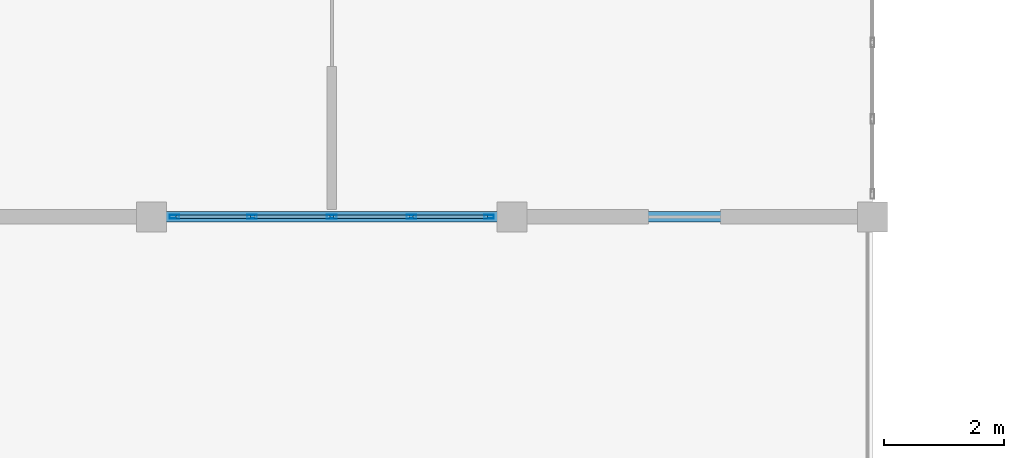
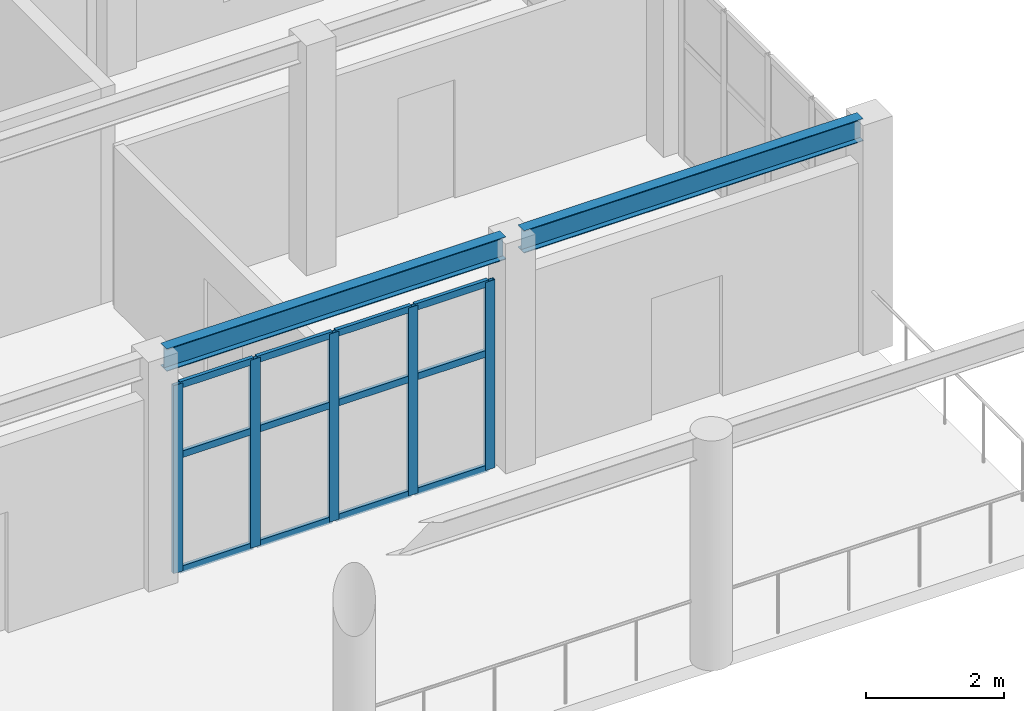
# One storey, part 22 of 128: 17 members, 2 beams, 1 element without a shape of its own.
"""IFC4 building model written with IfcOpenShell, lengths in metres."""

from ifc_helpers import new_model, si_unit, direction, frame, origin, origin_2d, place, context, subcontext, project, spatial, hollow_rectangle, i_section, extrude, material, material_profile, profile_set, type_object, element, aggregate, save


model = new_model("IFC4")

# Units and contexts
model_context = context("Model", 3, precision=1e-05, world=origin(), true_north=direction((0.0, 1.0)))
body_context = subcontext(model_context, "Body", "Model", "MODEL_VIEW")
ifc_project = project(units=[si_unit("LENGTHUNIT", "METRE"), si_unit("AREAUNIT", "SQUARE_METRE"), si_unit("VOLUMEUNIT", "CUBIC_METRE"), si_unit("PLANEANGLEUNIT", "RADIAN"), si_unit("MASSUNIT", "GRAM", prefix="KILO")], contexts=[model_context])

# Site, building, storey
site_placement = place(None, origin())
site = spatial("IfcSite", under=ifc_project, at=site_placement, CompositionType="ELEMENT")
building_placement = place(site_placement, origin())
building = spatial("IfcBuilding", under=site, at=building_placement, Name="Tanwirah Colonnade Gardens", CompositionType="ELEMENT")
storey_placement = place(building_placement, frame((0.0, 0.0, 4.760009765625)))
storey = spatial("IfcBuildingStorey", under=building, at=storey_placement, Name="L01", CompositionType="ELEMENT", Elevation=4.760009765625)

# Curtain wall, members
ifc_material_1 = material(Name="Bronze-anodised aluminium and solar-control low-E glass", Category="aluminium")
curtain_wall_type = type_object("IfcCurtainWallType", Name="CW-SHP", PredefinedType="NOTDEFINED", material=ifc_material_1)
curtain_wall_placement = place(storey_placement, origin())
curtain_wall = element("IfcCurtainWall", 1, at=curtain_wall_placement, inside=storey, type_object=curtain_wall_type, Name="Curtain Wall CW-SHP-E-L01-S-1", PredefinedType="NOTDEFINED")
ifc_material_2 = material(Name="Bronze-anodised aluminium", Category="aluminium")
ifc_material_profile_1 = material_profile(ifc_material_2, hollow_rectangle(XDim=0.06005859375, YDim=0.159912109375, WallThickness=0.00390625, at=origin_2d()), Name="CW-MUL 60x160x4")
ifc_profile_set_1 = profile_set([ifc_material_profile_1], Name="Bronze-anodised aluminium")
member_type_1 = type_object("IfcMemberType", Name="CWM-60x160", PredefinedType="MULLION", material=ifc_profile_set_1)
member_1_placement = place(storey_placement, frame((108.3798828125, 16.60009765625, 0.0), z_axis=(0.0, 0.0, 1.0), x_axis=(0.0, 1.0, 0.0)))
member_1 = element("IfcMember", 2, at=member_1_placement, type_object=member_type_1, Name="CW-SHP mullion 1", PredefinedType="MULLION", context=body_context, shape_type="SweptSolid", body=[
    extrude(hollow_rectangle(XDim=0.06005859375, YDim=0.159912109375, WallThickness=0.00390625, at=origin_2d()), origin(), (0.0, 0.0, 1.0), 3.340087890625),
])
member_2_placement = place(storey_placement, frame((109.675048828125, 16.60009765625, 0.0), z_axis=(0.0, 0.0, 1.0), x_axis=(0.0, 1.0, 0.0)))
member_2 = element("IfcMember", 3, at=member_2_placement, type_object=member_type_1, Name="CW-SHP mullion 2", PredefinedType="MULLION", context=body_context, shape_type="SweptSolid", body=[
    extrude(hollow_rectangle(XDim=0.06005859375, YDim=0.159912109375, WallThickness=0.00390625, at=origin_2d()), origin(), (0.0, 0.0, 1.0), 3.340087890625),
])
member_3_placement = place(storey_placement, frame((111.0, 16.60009765625, 0.0), z_axis=(0.0, 0.0, 1.0), x_axis=(0.0, 1.0, 0.0)))
member_3 = element("IfcMember", 4, at=member_3_placement, type_object=member_type_1, Name="CW-SHP mullion 3", PredefinedType="MULLION", context=body_context, shape_type="SweptSolid", body=[
    extrude(hollow_rectangle(XDim=0.06005859375, YDim=0.159912109375, WallThickness=0.00390625, at=origin_2d()), origin(), (0.0, 0.0, 1.0), 3.340087890625),
])
member_4_placement = place(storey_placement, frame((112.324951171875, 16.60009765625, 0.0), z_axis=(0.0, 0.0, 1.0), x_axis=(0.0, 1.0, 0.0)))
member_4 = element("IfcMember", 5, at=member_4_placement, type_object=member_type_1, Name="CW-SHP mullion 4", PredefinedType="MULLION", context=body_context, shape_type="SweptSolid", body=[
    extrude(hollow_rectangle(XDim=0.06005859375, YDim=0.159912109375, WallThickness=0.00390625, at=origin_2d()), origin(), (0.0, 0.0, 1.0), 3.340087890625),
])
member_5_placement = place(storey_placement, frame((113.6201171875, 16.60009765625, 0.0), z_axis=(0.0, 0.0, 1.0), x_axis=(0.0, 1.0, 0.0)))
member_5 = element("IfcMember", 6, at=member_5_placement, type_object=member_type_1, Name="CW-SHP mullion 5", PredefinedType="MULLION", context=body_context, shape_type="SweptSolid", body=[
    extrude(hollow_rectangle(XDim=0.06005859375, YDim=0.159912109375, WallThickness=0.00390625, at=origin_2d()), origin(), (0.0, 0.0, 1.0), 3.340087890625),
])
ifc_material_profile_2 = material_profile(ifc_material_2, hollow_rectangle(XDim=0.06005859375, YDim=0.1201171875, WallThickness=0.00390625, at=origin_2d()), Name="CW-TRN 60x120x4")
ifc_profile_set_2 = profile_set([ifc_material_profile_2], Name="Bronze-anodised aluminium")
member_type_2 = type_object("IfcMemberType", Name="CWT-60x120", PredefinedType="USERDEFINED", material=ifc_profile_set_2)
member_6_placement = place(storey_placement, frame((108.409912109375, 16.60009765625, 0.030029296875), z_axis=(1.0, 0.0, 0.0), x_axis=(0.0, 1.0, 0.0)))
member_6 = element("IfcMember", 7, at=member_6_placement, type_object=member_type_2, Name="CW-SHP transom 1.1", ObjectType="TRANSOM", PredefinedType="USERDEFINED", context=body_context, shape_type="SweptSolid", body=[
    extrude(hollow_rectangle(XDim=0.06005859375, YDim=0.1201171875, WallThickness=0.00390625, at=origin_2d()), origin(), (0.0, 0.0, 1.0), 1.235107421875),
])
member_7_placement = place(storey_placement, frame((108.409912109375, 16.60009765625, 2.07080078125), z_axis=(1.0, 0.0, 0.0), x_axis=(0.0, 1.0, 0.0)))
member_7 = element("IfcMember", 8, at=member_7_placement, type_object=member_type_2, Name="CW-SHP transom 1.2", ObjectType="TRANSOM", PredefinedType="USERDEFINED", context=body_context, shape_type="SweptSolid", body=[
    extrude(hollow_rectangle(XDim=0.06005859375, YDim=0.1201171875, WallThickness=0.00390625, at=origin_2d()), origin(), (0.0, 0.0, 1.0), 1.235107421875),
])
member_8_placement = place(storey_placement, frame((108.409912109375, 16.60009765625, 3.31005859375), z_axis=(1.0, 0.0, 0.0), x_axis=(0.0, 1.0, 0.0)))
member_8 = element("IfcMember", 9, at=member_8_placement, type_object=member_type_2, Name="CW-SHP transom 1.3", ObjectType="TRANSOM", PredefinedType="USERDEFINED", context=body_context, shape_type="SweptSolid", body=[
    extrude(hollow_rectangle(XDim=0.06005859375, YDim=0.1201171875, WallThickness=0.00390625, at=origin_2d()), origin(), (0.0, 0.0, 1.0), 1.235107421875),
])
member_9_placement = place(storey_placement, frame((109.705078125, 16.60009765625, 0.030029296875), z_axis=(1.0, 0.0, 0.0), x_axis=(0.0, 1.0, 0.0)))
member_9 = element("IfcMember", 10, at=member_9_placement, type_object=member_type_2, Name="CW-SHP transom 2.1", ObjectType="TRANSOM", PredefinedType="USERDEFINED", context=body_context, shape_type="SweptSolid", body=[
    extrude(hollow_rectangle(XDim=0.06005859375, YDim=0.1201171875, WallThickness=0.00390625, at=origin_2d()), origin(), (0.0, 0.0, 1.0), 1.264892578125),
])
member_10_placement = place(storey_placement, frame((109.705078125, 16.60009765625, 2.07080078125), z_axis=(1.0, 0.0, 0.0), x_axis=(0.0, 1.0, 0.0)))
member_10 = element("IfcMember", 11, at=member_10_placement, type_object=member_type_2, Name="CW-SHP transom 2.2", ObjectType="TRANSOM", PredefinedType="USERDEFINED", context=body_context, shape_type="SweptSolid", body=[
    extrude(hollow_rectangle(XDim=0.06005859375, YDim=0.1201171875, WallThickness=0.00390625, at=origin_2d()), origin(), (0.0, 0.0, 1.0), 1.264892578125),
])
member_11_placement = place(storey_placement, frame((109.705078125, 16.60009765625, 3.31005859375), z_axis=(1.0, 0.0, 0.0), x_axis=(0.0, 1.0, 0.0)))
member_11 = element("IfcMember", 12, at=member_11_placement, type_object=member_type_2, Name="CW-SHP transom 2.3", ObjectType="TRANSOM", PredefinedType="USERDEFINED", context=body_context, shape_type="SweptSolid", body=[
    extrude(hollow_rectangle(XDim=0.06005859375, YDim=0.1201171875, WallThickness=0.00390625, at=origin_2d()), origin(), (0.0, 0.0, 1.0), 1.264892578125),
])
member_12_placement = place(storey_placement, frame((111.030029296875, 16.60009765625, 0.030029296875), z_axis=(1.0, 0.0, 0.0), x_axis=(0.0, 1.0, 0.0)))
member_12 = element("IfcMember", 13, at=member_12_placement, type_object=member_type_2, Name="CW-SHP transom 3.1", ObjectType="TRANSOM", PredefinedType="USERDEFINED", context=body_context, shape_type="SweptSolid", body=[
    extrude(hollow_rectangle(XDim=0.06005859375, YDim=0.1201171875, WallThickness=0.00390625, at=origin_2d()), origin(), (0.0, 0.0, 1.0), 1.264892578125),
])
member_13_placement = place(storey_placement, frame((111.030029296875, 16.60009765625, 2.07080078125), z_axis=(1.0, 0.0, 0.0), x_axis=(0.0, 1.0, 0.0)))
member_13 = element("IfcMember", 14, at=member_13_placement, type_object=member_type_2, Name="CW-SHP transom 3.2", ObjectType="TRANSOM", PredefinedType="USERDEFINED", context=body_context, shape_type="SweptSolid", body=[
    extrude(hollow_rectangle(XDim=0.06005859375, YDim=0.1201171875, WallThickness=0.00390625, at=origin_2d()), origin(), (0.0, 0.0, 1.0), 1.264892578125),
])
member_14_placement = place(storey_placement, frame((111.030029296875, 16.60009765625, 3.31005859375), z_axis=(1.0, 0.0, 0.0), x_axis=(0.0, 1.0, 0.0)))
member_14 = element("IfcMember", 15, at=member_14_placement, type_object=member_type_2, Name="CW-SHP transom 3.3", ObjectType="TRANSOM", PredefinedType="USERDEFINED", context=body_context, shape_type="SweptSolid", body=[
    extrude(hollow_rectangle(XDim=0.06005859375, YDim=0.1201171875, WallThickness=0.00390625, at=origin_2d()), origin(), (0.0, 0.0, 1.0), 1.264892578125),
])
member_15_placement = place(storey_placement, frame((112.35498046875, 16.60009765625, 0.030029296875), z_axis=(1.0, 0.0, 0.0), x_axis=(0.0, 1.0, 0.0)))
member_15 = element("IfcMember", 16, at=member_15_placement, type_object=member_type_2, Name="CW-SHP transom 4.1", ObjectType="TRANSOM", PredefinedType="USERDEFINED", context=body_context, shape_type="SweptSolid", body=[
    extrude(hollow_rectangle(XDim=0.06005859375, YDim=0.1201171875, WallThickness=0.00390625, at=origin_2d()), origin(), (0.0, 0.0, 1.0), 1.235107421875),
])
member_16_placement = place(storey_placement, frame((112.35498046875, 16.60009765625, 2.07080078125), z_axis=(1.0, 0.0, 0.0), x_axis=(0.0, 1.0, 0.0)))
member_16 = element("IfcMember", 17, at=member_16_placement, type_object=member_type_2, Name="CW-SHP transom 4.2", ObjectType="TRANSOM", PredefinedType="USERDEFINED", context=body_context, shape_type="SweptSolid", body=[
    extrude(hollow_rectangle(XDim=0.06005859375, YDim=0.1201171875, WallThickness=0.00390625, at=origin_2d()), origin(), (0.0, 0.0, 1.0), 1.235107421875),
])
member_17_placement = place(storey_placement, frame((112.35498046875, 16.60009765625, 3.31005859375), z_axis=(1.0, 0.0, 0.0), x_axis=(0.0, 1.0, 0.0)))
member_17 = element("IfcMember", 18, at=member_17_placement, type_object=member_type_2, Name="CW-SHP transom 4.3", ObjectType="TRANSOM", PredefinedType="USERDEFINED", context=body_context, shape_type="SweptSolid", body=[
    extrude(hollow_rectangle(XDim=0.06005859375, YDim=0.1201171875, WallThickness=0.00390625, at=origin_2d()), origin(), (0.0, 0.0, 1.0), 1.235107421875),
])
aggregate(curtain_wall, [member_1, member_2, member_3, member_4, member_5, member_6, member_7, member_8, member_9, member_10, member_11, member_12, member_13, member_14, member_15, member_16, member_17])

# Beams
ifc_material_3 = material(Name="Steel S355", Category="steel")
ifc_material_profile_3 = material_profile(ifc_material_3, i_section(OverallWidth=0.179931640625, OverallDepth=0.39990234375, WebThickness=0.008544921875, FlangeThickness=0.013427734375, at=origin_2d()), Name="IPE 400")
ifc_profile_set_3 = profile_set([ifc_material_profile_3], Name="Steel S355")
beam_type = type_object("IfcBeamType", Name="SBM-IPE330", PredefinedType="BEAM", material=ifc_profile_set_3)
for number, where, z_axis, x_axis, name in (
    (19, (108.14990234375, 16.60009765625, 3.8798828125), (1.0, 0.0, 0.0), (0.0, 1.0, 0.0), "Boulevard Shops E L01 Beam 1.1"),
    (20, (114.14990234375, 16.60009765625, 3.8798828125), (1.0, 0.0, 0.0), (0.0, 1.0, 0.0), "Boulevard Shops E L01 Beam 2.1"),
):
    element("IfcBeam", number, at=place(storey_placement, frame(where, z_axis=z_axis, x_axis=x_axis)), inside=storey, type_object=beam_type, Name=name, PredefinedType="BEAM", context=body_context, shape_type="SweptSolid", body=[
        extrude(i_section(OverallWidth=0.179931640625, OverallDepth=0.39990234375, WebThickness=0.008544921875, FlangeThickness=0.013427734375, at=origin_2d()), origin(), (0.0, 0.0, 1.0), 5.7001953125),
    ])

save(model, "model.ifc")
